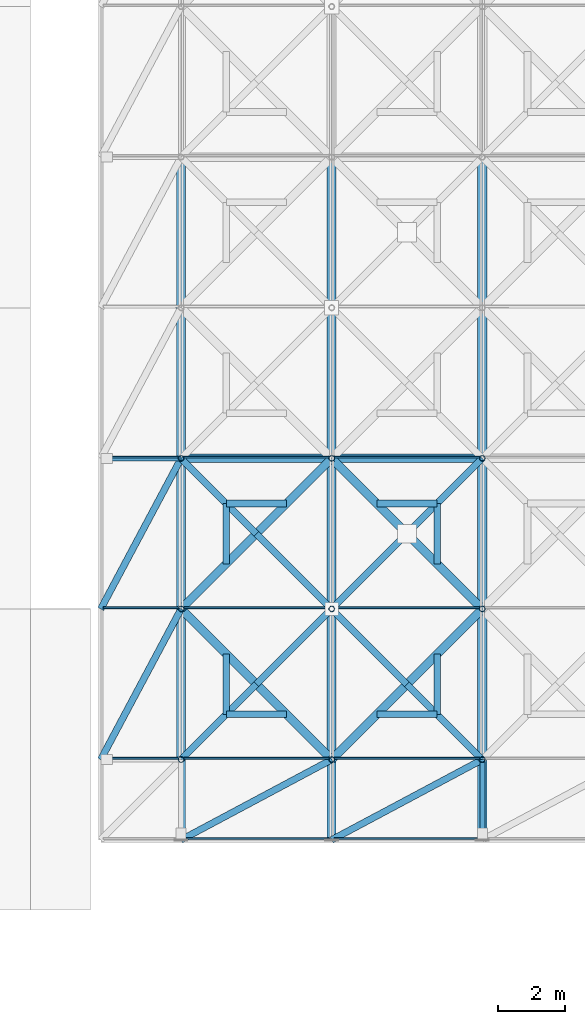
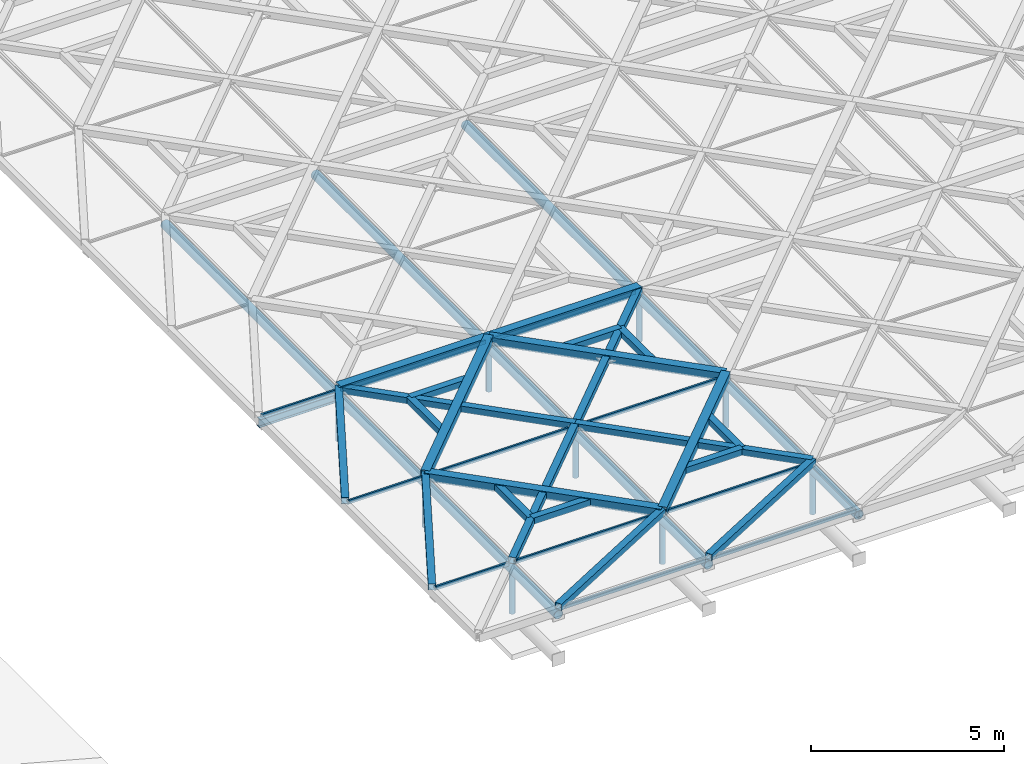
# One storey, part 2 of 80: 47 members, 2 beams, 3 elements without a shape of their own.
"""IFC4 building model written with IfcOpenShell, lengths in metres."""

from ifc_helpers import new_model, si_unit, direction, frame, origin, origin_2d, place, context, subcontext, project, spatial, rectangle, hollow_rectangle, hollow_circle, i_section, extrude, material, material_profile, profile_set, type_object, element, aggregate, save


model = new_model("IFC4")

# Units and contexts
model_context = context("Model", 3, precision=1e-05, world=origin(), true_north=direction((0.0, 1.0)))
body_context = subcontext(model_context, "Body", "Model", "MODEL_VIEW")
ifc_project = project(units=[si_unit("LENGTHUNIT", "METRE"), si_unit("AREAUNIT", "SQUARE_METRE"), si_unit("VOLUMEUNIT", "CUBIC_METRE"), si_unit("PLANEANGLEUNIT", "RADIAN"), si_unit("MASSUNIT", "GRAM", prefix="KILO"), si_unit("THERMODYNAMICTEMPERATUREUNIT", "KELVIN"), si_unit("POWERUNIT", "WATT")], contexts=[model_context])

# Site, building, storey
site_placement = place(None, origin())
site = spatial("IfcSite", under=ifc_project, at=site_placement, CompositionType="ELEMENT")
building_placement = place(site_placement, origin())
building = spatial("IfcBuilding", under=site, at=building_placement, Name="Tallowbark Science Centre", CompositionType="ELEMENT")
storey_placement = place(building_placement, frame((0.0, 0.0, 25.949951171875)))
storey = spatial("IfcBuildingStorey", under=building, at=storey_placement, Name="ROOF", CompositionType="ELEMENT", Elevation=25.949951171875)

# Beams
ifc_material_1 = material(Name="White Architectural Painted Steel Grade C350L0 (350 MPa)", Category="steel")
ifc_material_profile_1 = material_profile(ifc_material_1, i_section(OverallWidth=0.146484375, OverallDepth=0.256103515625, WebThickness=0.00634765625, FlangeThickness=0.010986328125, FilletRadius=0.0087890625, at=origin_2d()), Name="250UB37.3")
ifc_profile_set_1 = profile_set([ifc_material_profile_1], Name="White Architectural Painted Steel Grade C350L0 (350 MPa)")
beam_type = type_object("IfcBeamType", Name="BM-OUT250", PredefinedType="BEAM", material=ifc_profile_set_1)
for number, where, z_axis, x_axis, name in (
    (1, (67.5, 4.5, 0.199951171875), (0.0, -1.0, 0.0), (1.0, 0.0, 0.0), "Star Screen Outrigger Tie Beam S-103"),
    (2, (58.5, 13.5, 0.199951171875), (-1.0, 0.0, 0.0), (0.0, -1.0, 0.0), "Star Screen Outrigger Tie Beam W-115"),
):
    element("IfcBeam", number, at=place(storey_placement, frame(where, z_axis=z_axis, x_axis=x_axis)), inside=storey, type_object=beam_type, Name=name, PredefinedType="BEAM", context=body_context, shape_type="SweptSolid", body=[
        extrude(i_section(OverallWidth=0.146484375, OverallDepth=0.256103515625, WebThickness=0.00634765625, FlangeThickness=0.010986328125, FilletRadius=0.0087890625, at=origin_2d()), origin(), (0.0, 0.0, 1.0), 2.39990234375),
    ])

# Curtain wall, members
ifc_material_2 = material(Name="Blue-Tinted Laminated Low-E Skylight Glass", Category="glass")
curtain_wall_type = type_object("IfcCurtainWallType", Name="CW-SKY-ROOF", PredefinedType="NOTDEFINED", material=ifc_material_2)
curtain_wall_1_placement = place(storey_placement, origin())
curtain_wall_1 = element("IfcCurtainWall", 3, at=curtain_wall_1_placement, inside=storey, type_object=curtain_wall_type, Name="Exhibition Star-Screen Skylight Bay 1", PredefinedType="NOTDEFINED")
ifc_material_3 = material(Name="Anodised Architectural Aluminium Alloy 6063-T6", Category="aluminium")
ifc_material_profile_2 = material_profile(ifc_material_3, rectangle(XDim=0.054931640625, YDim=0.1201171875, at=origin_2d()), Name="ALU55x120")
ifc_profile_set_2 = profile_set([ifc_material_profile_2], Name="Anodised Architectural Aluminium Alloy 6063-T6")
member_type_1 = type_object("IfcMemberType", Name="CWM-SKY-TRN", PredefinedType="USERDEFINED", material=ifc_profile_set_2)
member_1_placement = place(storey_placement, frame((56.179931640625, 4.5400390625, 0.35205078125), z_axis=(1.0, 0.0, 0.0), x_axis=(0.0, 1.0, 0.0)))
member_1 = element("IfcMember", 4, at=member_1_placement, type_object=member_type_1, Name="Skylight Bay 1 Transom 2", ObjectType="TRANSOM", PredefinedType="USERDEFINED", context=body_context, shape_type="SweptSolid", body=[
    extrude(rectangle(XDim=0.054931640625, YDim=0.1201171875, at=origin_2d()), origin(), (0.0, 0.0, 1.0), 2.239990234375),
])
member_2_placement = place(storey_placement, frame((56.179931640625, 9.0400390625, 0.35205078125), z_axis=(1.0, 0.0, 0.0), x_axis=(0.0, 1.0, 0.0)))
member_2 = element("IfcMember", 5, at=member_2_placement, type_object=member_type_1, Name="Skylight Bay 1 Transom 3", ObjectType="TRANSOM", PredefinedType="USERDEFINED", context=body_context, shape_type="SweptSolid", body=[
    extrude(rectangle(XDim=0.054931640625, YDim=0.1201171875, at=origin_2d()), origin(), (0.0, 0.0, 1.0), 2.239990234375),
])
member_3_placement = place(storey_placement, frame((56.179931640625, 13.5400390625, 0.35205078125), z_axis=(1.0, 0.0, 0.0), x_axis=(0.0, 1.0, 0.0)))
member_3 = element("IfcMember", 6, at=member_3_placement, type_object=member_type_1, Name="Skylight Bay 1 Transom 4", ObjectType="TRANSOM", PredefinedType="USERDEFINED", context=body_context, shape_type="SweptSolid", body=[
    extrude(rectangle(XDim=0.054931640625, YDim=0.1201171875, at=origin_2d()), origin(), (0.0, 0.0, 1.0), 2.239990234375),
])
aggregate(curtain_wall_1, [member_1, member_2, member_3])

curtain_wall_2_placement = place(storey_placement, origin())
curtain_wall_2 = element("IfcCurtainWall", 7, at=curtain_wall_2_placement, inside=storey, type_object=curtain_wall_type, Name="Exhibition Star-Screen Skylight Bay 2", PredefinedType="NOTDEFINED")
member_4_placement = place(storey_placement, frame((58.580078125, 2.139892578125, 0.35205078125), z_axis=(1.0, 0.0, 0.0), x_axis=(0.0, 1.0, 0.0)))
member_4 = element("IfcMember", 8, at=member_4_placement, type_object=member_type_1, Name="Skylight Bay 2 Transom 1", ObjectType="TRANSOM", PredefinedType="USERDEFINED", context=body_context, shape_type="SweptSolid", body=[
    extrude(rectangle(XDim=0.054931640625, YDim=0.1201171875, at=origin_2d()), origin(), (0.0, 0.0, 1.0), 4.33984375),
])
member_5_placement = place(storey_placement, frame((58.580078125, 4.5400390625, 0.35205078125), z_axis=(1.0, 0.0, 0.0), x_axis=(0.0, 1.0, 0.0)))
member_5 = element("IfcMember", 9, at=member_5_placement, type_object=member_type_1, Name="Skylight Bay 2 Transom 2", ObjectType="TRANSOM", PredefinedType="USERDEFINED", context=body_context, shape_type="SweptSolid", body=[
    extrude(rectangle(XDim=0.054931640625, YDim=0.1201171875, at=origin_2d()), origin(), (0.0, 0.0, 1.0), 4.33984375),
])
member_6_placement = place(storey_placement, frame((58.580078125, 9.0400390625, 0.35205078125), z_axis=(1.0, 0.0, 0.0), x_axis=(0.0, 1.0, 0.0)))
member_6 = element("IfcMember", 10, at=member_6_placement, type_object=member_type_1, Name="Skylight Bay 2 Transom 3", ObjectType="TRANSOM", PredefinedType="USERDEFINED", context=body_context, shape_type="SweptSolid", body=[
    extrude(rectangle(XDim=0.054931640625, YDim=0.1201171875, at=origin_2d()), origin(), (0.0, 0.0, 1.0), 4.33984375),
])
member_7_placement = place(storey_placement, frame((58.580078125, 13.5400390625, 0.35205078125), z_axis=(1.0, 0.0, 0.0), x_axis=(0.0, 1.0, 0.0)))
member_7 = element("IfcMember", 11, at=member_7_placement, type_object=member_type_1, Name="Skylight Bay 2 Transom 4", ObjectType="TRANSOM", PredefinedType="USERDEFINED", context=body_context, shape_type="SweptSolid", body=[
    extrude(rectangle(XDim=0.054931640625, YDim=0.1201171875, at=origin_2d()), origin(), (0.0, 0.0, 1.0), 4.33984375),
])
aggregate(curtain_wall_2, [member_4, member_5, member_6, member_7])

curtain_wall_3_placement = place(storey_placement, origin())
curtain_wall_3 = element("IfcCurtainWall", 12, at=curtain_wall_3_placement, inside=storey, type_object=curtain_wall_type, Name="Exhibition Star-Screen Skylight Bay 3", PredefinedType="NOTDEFINED")
member_8_placement = place(storey_placement, frame((63.080078125, 2.139892578125, 0.35205078125), z_axis=(1.0, 0.0, 0.0), x_axis=(0.0, 1.0, 0.0)))
member_8 = element("IfcMember", 13, at=member_8_placement, type_object=member_type_1, Name="Skylight Bay 3 Transom 1", ObjectType="TRANSOM", PredefinedType="USERDEFINED", context=body_context, shape_type="SweptSolid", body=[
    extrude(rectangle(XDim=0.054931640625, YDim=0.1201171875, at=origin_2d()), origin(), (0.0, 0.0, 1.0), 4.33984375),
])
member_9_placement = place(storey_placement, frame((63.080078125, 4.5400390625, 0.35205078125), z_axis=(1.0, 0.0, 0.0), x_axis=(0.0, 1.0, 0.0)))
member_9 = element("IfcMember", 14, at=member_9_placement, type_object=member_type_1, Name="Skylight Bay 3 Transom 2", ObjectType="TRANSOM", PredefinedType="USERDEFINED", context=body_context, shape_type="SweptSolid", body=[
    extrude(rectangle(XDim=0.054931640625, YDim=0.1201171875, at=origin_2d()), origin(), (0.0, 0.0, 1.0), 4.33984375),
])
member_10_placement = place(storey_placement, frame((63.080078125, 9.0400390625, 0.35205078125), z_axis=(1.0, 0.0, 0.0), x_axis=(0.0, 1.0, 0.0)))
member_10 = element("IfcMember", 15, at=member_10_placement, type_object=member_type_1, Name="Skylight Bay 3 Transom 3", ObjectType="TRANSOM", PredefinedType="USERDEFINED", context=body_context, shape_type="SweptSolid", body=[
    extrude(rectangle(XDim=0.054931640625, YDim=0.1201171875, at=origin_2d()), origin(), (0.0, 0.0, 1.0), 4.33984375),
])
member_11_placement = place(storey_placement, frame((63.080078125, 13.5400390625, 0.35205078125), z_axis=(1.0, 0.0, 0.0), x_axis=(0.0, 1.0, 0.0)))
member_11 = element("IfcMember", 16, at=member_11_placement, type_object=member_type_1, Name="Skylight Bay 3 Transom 4", ObjectType="TRANSOM", PredefinedType="USERDEFINED", context=body_context, shape_type="SweptSolid", body=[
    extrude(rectangle(XDim=0.054931640625, YDim=0.1201171875, at=origin_2d()), origin(), (0.0, 0.0, 1.0), 4.33984375),
])
aggregate(curtain_wall_3, [member_8, member_9, member_10, member_11])

# Members
ifc_material_profile_3 = material_profile(ifc_material_1, hollow_rectangle(XDim=0.25, YDim=0.25, WallThickness=0.009033203125, at=origin_2d()), Name="250x250x9.0SHS")
ifc_profile_set_3 = profile_set([ifc_material_profile_3], Name="White Architectural Painted Steel Grade C350L0 (350 MPa)")
member_type_2 = type_object("IfcMemberType", Name="SCR-CHD200", PredefinedType="CHORD", material=ifc_profile_set_3)
member_12_placement = place(storey_placement, frame((58.5, 13.5, 0.449951171875), z_axis=(1.0, 0.0, 0.0), x_axis=(0.0, 1.0, 0.0)))
element("IfcMember", 17, at=member_12_placement, inside=storey, type_object=member_type_2, Name="Star Screen Frame Chord TOP-54", PredefinedType="CHORD", context=body_context, shape_type="SweptSolid", body=[
    extrude(hollow_rectangle(XDim=0.25, YDim=0.25, WallThickness=0.009033203125, at=origin_2d()), origin(), (0.0, 0.0, 1.0), 9.0),
])
for number, where, z_axis, x_axis, name in (
    (18, (63.0, 4.5, 0.449951171875), (0.707106781187, 0.707106781187, 0.0), (-0.707106781187, 0.707106781187, 0.0), "Star Screen Octagram Diamond Chord TOP-54-1"),
    (19, (67.5, 9.0, 0.449951171875), (-0.707106781187, 0.707106781187, 0.0), (-0.707106781187, -0.707106781187, 0.0), "Star Screen Octagram Diamond Chord TOP-54-2"),
    (20, (63.0, 13.5, 0.449951171875), (-0.707106781187, -0.707106781187, 0.0), (0.707106781187, -0.707106781187, 0.0), "Star Screen Octagram Diamond Chord TOP-54-3"),
    (21, (58.5, 9.0, 0.449951171875), (0.707106781187, -0.707106781187, 0.0), (0.707106781187, 0.707106781187, 0.0), "Star Screen Octagram Diamond Chord TOP-54-4"),
):
    element("IfcMember", number, at=place(storey_placement, frame(where, z_axis=z_axis, x_axis=x_axis)), inside=storey, type_object=member_type_2, Name=name, PredefinedType="CHORD", context=body_context, shape_type="SweptSolid", body=[
        extrude(hollow_rectangle(XDim=0.25, YDim=0.25, WallThickness=0.009033203125, at=origin_2d()), origin(), (0.0, 0.0, 1.0), 6.364013671875),
    ])
ifc_material_profile_4 = material_profile(ifc_material_1, hollow_rectangle(XDim=0.199951171875, YDim=0.199951171875, WallThickness=0.009033203125, at=origin_2d()), Name="200x200x9.0SHS")
ifc_profile_set_4 = profile_set([ifc_material_profile_4], Name="White Architectural Painted Steel Grade C350L0 (350 MPa)")
member_type_3 = type_object("IfcMemberType", Name="SCR-STAR139", PredefinedType="BRACE", material=ifc_profile_set_4)
member_13_placement = place(storey_placement, frame((58.5, 4.5, 0.449951171875), z_axis=(0.707106781187, 0.707106781187, 0.0), x_axis=(-0.707106781187, 0.707106781187, 0.0)))
element("IfcMember", 22, at=member_13_placement, inside=storey, type_object=member_type_3, Name="Star Screen Continuous X-Diagonal D1A TOP-54", PredefinedType="BRACE", context=body_context, shape_type="SweptSolid", body=[
    extrude(hollow_rectangle(XDim=0.199951171875, YDim=0.199951171875, WallThickness=0.009033203125, at=origin_2d()), origin(), (0.0, 0.0, 1.0), 3.181884765625),
])
member_14_placement = place(storey_placement, frame((60.75, 6.75, 0.449951171875), z_axis=(0.707106781187, 0.707106781187, 0.0), x_axis=(-0.707106781187, 0.707106781187, 0.0)))
element("IfcMember", 23, at=member_14_placement, inside=storey, type_object=member_type_3, Name="Star Screen Continuous X-Diagonal D1M TOP-54", PredefinedType="BRACE", context=body_context, shape_type="SweptSolid", body=[
    extrude(hollow_rectangle(XDim=0.199951171875, YDim=0.199951171875, WallThickness=0.009033203125, at=origin_2d()), origin(), (0.0, 0.0, 1.0), 6.364013671875),
])
for number, where, z_axis, x_axis, name in (
    (24, (65.25, 11.25, 0.449951171875), (0.707106781187, 0.707106781187, 0.0), (-0.707106781187, 0.707106781187, 0.0), "Star Screen Continuous X-Diagonal D1B TOP-54"),
    (25, (58.5, 13.5, 0.449951171875), (0.707106781187, -0.707106781187, 0.0), (0.707106781187, 0.707106781187, 0.0), "Star Screen Split X-Diagonal D2A TOP-54"),
    (26, (60.75, 11.25, 0.449951171875), (0.707106781187, -0.707106781187, 0.0), (0.707106781187, 0.707106781187, 0.0), "Star Screen Split X-Diagonal D2B TOP-54"),
    (27, (63.0, 9.0, 0.449951171875), (0.707106781187, -0.707106781187, 0.0), (0.707106781187, 0.707106781187, 0.0), "Star Screen Split X-Diagonal D2C TOP-54"),
    (28, (65.25, 6.75, 0.449951171875), (0.707106781187, -0.707106781187, 0.0), (0.707106781187, 0.707106781187, 0.0), "Star Screen Split X-Diagonal D2D TOP-54"),
):
    element("IfcMember", number, at=place(storey_placement, frame(where, z_axis=z_axis, x_axis=x_axis)), inside=storey, type_object=member_type_3, Name=name, PredefinedType="BRACE", context=body_context, shape_type="SweptSolid", body=[
        extrude(hollow_rectangle(XDim=0.199951171875, YDim=0.199951171875, WallThickness=0.009033203125, at=origin_2d()), origin(), (0.0, 0.0, 1.0), 3.181884765625),
    ])
for number, where, z_axis, x_axis, name in (
    (29, (56.10009765625, 4.5, 0.449951171875), (0.470573327259, 0.882360891967, 0.0), (-0.882360891967, 0.470573327259, 0.0), "Top Perimeter Gap Star Diagonal 1-2"),
    (30, (56.10009765625, 9.0, 0.449951171875), (0.470573327259, 0.882360891967, 0.0), (-0.882360891967, 0.470573327259, 0.0), "Top Perimeter Gap Star Diagonal 1-3"),
    (31, (58.5, 2.10009765625, 0.449951171875), (0.882360891967, 0.470573327259, 0.0), (-0.470573327259, 0.882360891967, 0.0), "Top Perimeter Gap Star Diagonal 2-1"),
    (32, (63.0, 2.10009765625, 0.449951171875), (0.882360891967, 0.470573327259, 0.0), (-0.470573327259, 0.882360891967, 0.0), "Top Perimeter Gap Star Diagonal 3-1"),
):
    element("IfcMember", number, at=place(storey_placement, frame(where, z_axis=z_axis, x_axis=x_axis)), inside=storey, type_object=member_type_3, Name=name, PredefinedType="BRACE", context=body_context, shape_type="SweptSolid", body=[
        extrude(hollow_rectangle(XDim=0.199951171875, YDim=0.199951171875, WallThickness=0.009033203125, at=origin_2d()), origin(), (0.0, 0.0, 1.0), 5.099853515625),
    ])
ifc_material_profile_5 = material_profile(ifc_material_1, hollow_rectangle(XDim=0.199951171875, YDim=0.199951171875, WallThickness=0.009033203125, at=origin_2d()), Name="200x200x9.0SHS")
ifc_profile_set_5 = profile_set([ifc_material_profile_5], Name="White Architectural Painted Steel Grade C350L0 (350 MPa)")
member_type_4 = type_object("IfcMemberType", Name="SCR-SUB150", PredefinedType="BRACE", material=ifc_profile_set_5)
for number, where, z_axis, x_axis, name in (
    (33, (59.85009765625, 5.85009765625, 0.449951171875), (1.0, 0.0, 0.0), (0.0, 1.0, 0.0), "Star Screen Octagram Point Ray TOP-54-1"),
    (34, (59.85009765625, 5.85009765625, 0.449951171875), (0.0, 1.0, 0.0), (-1.0, 0.0, 0.0), "Star Screen Octagram Point Ray TOP-54-2"),
    (35, (66.14990234375, 5.85009765625, 0.449951171875), (-1.0, 0.0, 0.0), (0.0, -1.0, 0.0), "Star Screen Octagram Point Ray TOP-54-3"),
    (36, (66.14990234375, 5.85009765625, 0.449951171875), (0.0, 1.0, 0.0), (-1.0, 0.0, 0.0), "Star Screen Octagram Point Ray TOP-54-4"),
    (37, (66.14990234375, 12.14990234375, 0.449951171875), (-1.0, 0.0, 0.0), (0.0, -1.0, 0.0), "Star Screen Octagram Point Ray TOP-54-5"),
    (38, (66.14990234375, 12.14990234375, 0.449951171875), (0.0, -1.0, 0.0), (1.0, 0.0, 0.0), "Star Screen Octagram Point Ray TOP-54-6"),
    (39, (59.85009765625, 12.14990234375, 0.449951171875), (1.0, 0.0, 0.0), (0.0, 1.0, 0.0), "Star Screen Octagram Point Ray TOP-54-7"),
    (40, (59.85009765625, 12.14990234375, 0.449951171875), (0.0, -1.0, 0.0), (1.0, 0.0, 0.0), "Star Screen Octagram Point Ray TOP-54-8"),
):
    element("IfcMember", number, at=place(storey_placement, frame(where, z_axis=z_axis, x_axis=x_axis)), inside=storey, type_object=member_type_4, Name=name, PredefinedType="BRACE", context=body_context, shape_type="SweptSolid", body=[
        extrude(hollow_rectangle(XDim=0.199951171875, YDim=0.199951171875, WallThickness=0.009033203125, at=origin_2d()), origin(), (0.0, 0.0, 1.0), 1.7998046875),
    ])
ifc_material_profile_6 = material_profile(ifc_material_1, hollow_circle(Radius=0.136474609375, WallThickness=0.00927734375, at=origin_2d()), Name="273.1x9.3CHS")
ifc_profile_set_6 = profile_set([ifc_material_profile_6], Name="White Architectural Painted Steel Grade C350L0 (350 MPa)")
member_type_5 = type_object("IfcMemberType", Name="TR-CHD273", PredefinedType="CHORD", material=ifc_profile_set_6)
for number, where, z_axis, x_axis, name in (
    (41, (58.5, 2.10009765625, 0.18994140625), (0.0, 1.0, 0.0), (-1.0, 0.0, 0.0), "Exhibition Roof Truss South Top Chord 1"),
    (42, (63.0, 2.10009765625, 0.18994140625), (0.0, 1.0, 0.0), (-1.0, 0.0, 0.0), "Exhibition Roof Truss South Top Chord 2"),
    (43, (67.5, 2.10009765625, 0.18994140625), (0.0, 1.0, 0.0), (-1.0, 0.0, 0.0), "Exhibition Roof Truss South Top Chord 3"),
):
    element("IfcMember", number, at=place(storey_placement, frame(where, z_axis=z_axis, x_axis=x_axis)), inside=storey, type_object=member_type_5, Name=name, PredefinedType="CHORD", context=body_context, shape_type="SweptSolid", body=[
        extrude(hollow_circle(Radius=0.136474609375, WallThickness=0.00927734375, at=origin_2d()), origin(), (0.0, 0.0, 1.0), 20.39990234375),
    ])
ifc_material_profile_7 = material_profile(ifc_material_1, hollow_circle(Radius=0.084228515625, WallThickness=0.007080078125, at=origin_2d()), Name="168.3x7.1CHS")
ifc_profile_set_7 = profile_set([ifc_material_profile_7], Name="White Architectural Painted Steel Grade C350L0 (350 MPa)")
member_type_6 = type_object("IfcMemberType", Name="TR-WEB168", PredefinedType="BRACE", material=ifc_profile_set_7)
for number, where, z_axis, x_axis, name in (
    (44, (58.5, 4.5, -1.199951171875), (0.0, 0.0, 1.0), (1.0, 0.0, 0.0), "Exhibition Roof Truss Web 1-4.5"),
    (45, (58.5, 9.0, -1.199951171875), (0.0, 0.0, 1.0), (1.0, 0.0, 0.0), "Exhibition Roof Truss Web 1-9"),
    (46, (58.5, 13.5, -1.199951171875), (0.0, 0.0, 1.0), (1.0, 0.0, 0.0), "Exhibition Roof Truss Web 1-13.5"),
    (47, (63.0, 4.5, -1.199951171875), (0.0, 0.0, 1.0), (1.0, 0.0, 0.0), "Exhibition Roof Truss Web 2-4.5"),
    (48, (63.0, 9.0, -1.199951171875), (0.0, 0.0, 1.0), (1.0, 0.0, 0.0), "Exhibition Roof Truss Web 2-9"),
    (49, (63.0, 13.5, -1.199951171875), (0.0, 0.0, 1.0), (1.0, 0.0, 0.0), "Exhibition Roof Truss Web 2-13.5"),
    (50, (67.5, 4.5, -1.199951171875), (0.0, 0.0, 1.0), (1.0, 0.0, 0.0), "Exhibition Roof Truss Web 3-4.5"),
    (51, (67.5, 9.0, -1.199951171875), (0.0, 0.0, 1.0), (1.0, 0.0, 0.0), "Exhibition Roof Truss Web 3-9"),
    (52, (67.5, 13.5, -1.199951171875), (0.0, 0.0, 1.0), (1.0, 0.0, 0.0), "Exhibition Roof Truss Web 3-13.5"),
):
    element("IfcMember", number, at=place(storey_placement, frame(where, z_axis=z_axis, x_axis=x_axis)), inside=storey, type_object=member_type_6, Name=name, PredefinedType="BRACE", context=body_context, shape_type="SweptSolid", body=[
        extrude(hollow_circle(Radius=0.084228515625, WallThickness=0.007080078125, at=origin_2d()), origin(), (0.0, 0.0, 1.0), 1.389892578125),
    ])

save(model, "model.ifc")
